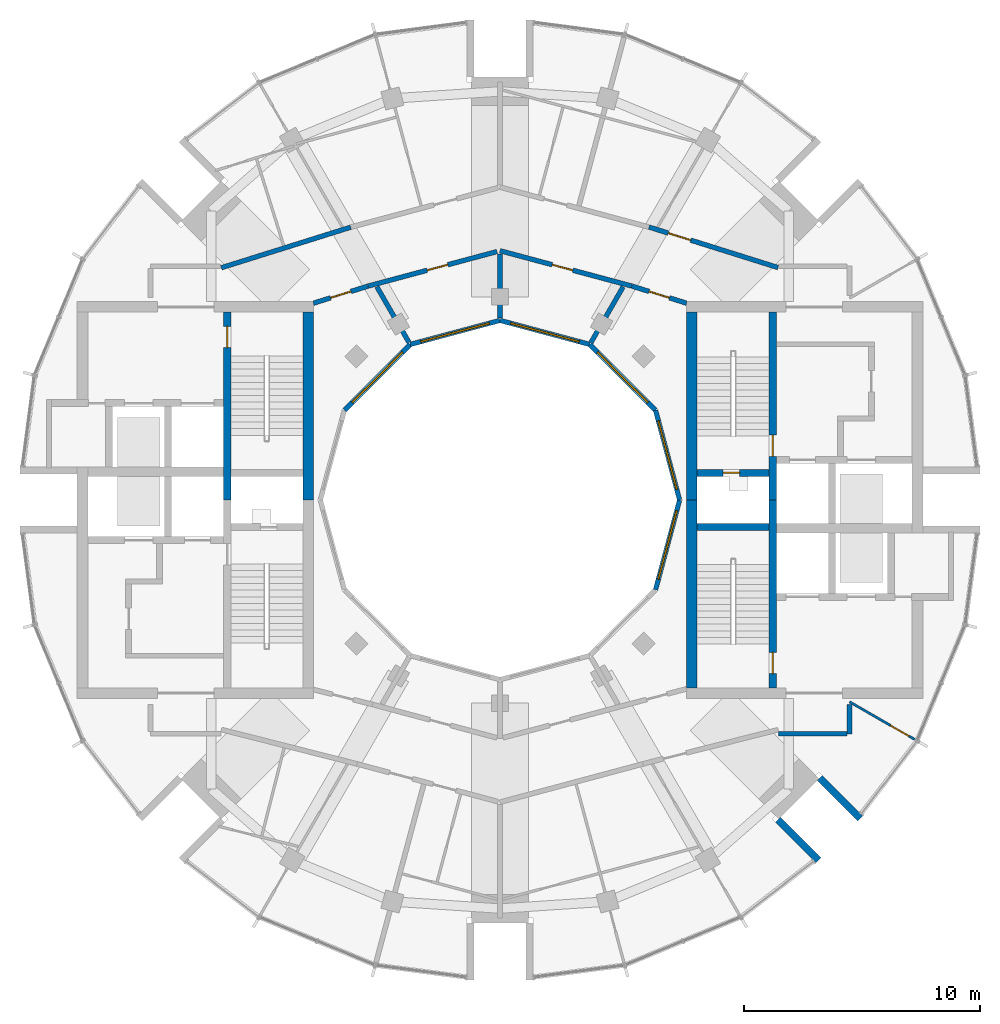
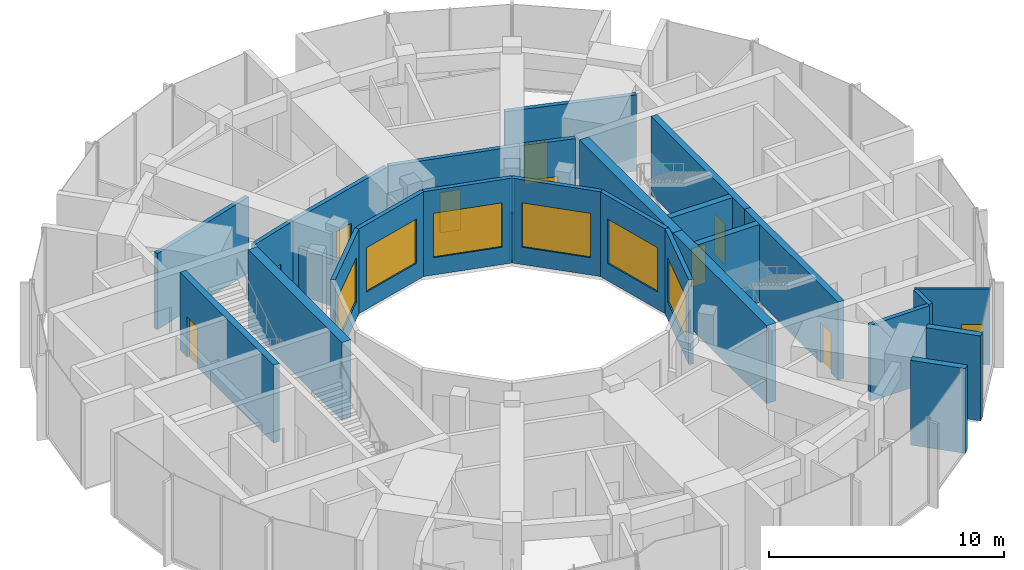
# One storey, part 9 of 13: 28 walls, 10 doors, 6 windows, 16 openings.
"""IFC4 building model written with IfcOpenShell, lengths in metres."""

from ifc_helpers import new_model, si_unit, direction, frame, frame_2d, origin, place, context, subcontext, project, spatial, rectangle, extrude, material, layer, layer_set, type_object, element, fill, save


model = new_model("IFC4")

# Units and contexts
model_context = context("Model", 3, precision=1e-05, world=origin(), true_north=direction((0.0, 1.0)))
body_context = subcontext(model_context, "Body", "Model", "MODEL_VIEW")
ifc_project = project(units=[si_unit("LENGTHUNIT", "METRE"), si_unit("AREAUNIT", "SQUARE_METRE"), si_unit("VOLUMEUNIT", "CUBIC_METRE"), si_unit("PLANEANGLEUNIT", "RADIAN"), si_unit("MASSUNIT", "GRAM", prefix="KILO")], contexts=[model_context])

# Site, building, storey
site_placement = place(None, origin())
site = spatial("IfcSite", under=ifc_project, at=site_placement, CompositionType="ELEMENT")
building_placement = place(site_placement, origin())
building = spatial("IfcBuilding", under=site, at=building_placement, Name="Torre Brocal", CompositionType="ELEMENT")
storey_placement = place(building_placement, frame((0.0, 0.0, 323.699951171875)))
storey = spatial("IfcBuildingStorey", under=building, at=storey_placement, Name="L74", CompositionType="ELEMENT", Elevation=323.699951171875)

# Wall, opening, door
ifc_material_1 = material(Name="Concrete C50", Category="concrete")
ifc_layer_1 = layer(ifc_material_1, 0.300048828125)
ifc_layer_set_1 = layer_set([ifc_layer_1], Name="Concrete C50")
wall_type_1 = type_object("IfcWallType", Name="CORE WALL 300 C50 UNDER 350 SLAB", PredefinedType="SHEAR", material=ifc_layer_set_1)
wall_1_placement = place(storey_placement, frame((91.550048828125, 75.0, 0.0), z_axis=(0.0, 0.0, 1.0), x_axis=(0.0, 1.0, 0.0)))
wall_1 = element("IfcWall", 1, at=wall_1_placement, inside=storey, type_object=wall_type_1, Name="Wall CW300-50-S350", PredefinedType="SHEAR", context=body_context, shape_type="SweptSolid", body=[
    extrude(rectangle(XDim=7.949951171875, YDim=0.300048828125, at=frame_2d((3.97509765625, 0.0))), origin(), (0.0, 0.0, 1.0), 4.050048828125),
])
opening_1_placement = place(wall_1_placement, frame((1.85009765625, 0.0, 0.0)))
opening_1 = element("IfcOpeningElement", 2, at=opening_1_placement, cuts=wall_1, Name="Opening E-D02", PredefinedType="OPENING", context=body_context, shape_type="SweptSolid", body=[
    extrude(rectangle(XDim=0.89990234375, YDim=2.10009765625, at=frame_2d((0.449951171875, 1.050048828125))), frame((0.0, 0.159912109375, 0.0), z_axis=(0.0, -1.0, 0.0), x_axis=(1.0, 0.0, 0.0)), (0.0, 0.0, 1.0), 0.320068359375),
])
ifc_material_2 = material(Name="Steel A653", Category="steel")
door_type_1 = type_object("IfcDoorType", Name="STAIR DOOR FD120 900X2100", OperationType="SINGLE_SWING_RIGHT", PredefinedType="DOOR", material=ifc_material_2)
door_1_placement = place(opening_1_placement, origin())
door_1 = element("IfcDoor", 3, at=door_1_placement, inside=storey, type_object=door_type_1, Name="Door E-D02", OperationType="SINGLE_SWING_LEFT", OverallHeight=2.10009765625, OverallWidth=0.89990234375, PredefinedType="DOOR", context=body_context, shape_type="SweptSolid", body=[
    extrude(rectangle(XDim=0.89990234375, YDim=2.10009765625, at=frame_2d((0.449951171875, 1.050048828125))), frame((0.0, 0.02490234375, 0.0), z_axis=(0.0, -1.0, 0.0), x_axis=(1.0, 0.0, 0.0)), (0.0, 0.0, 1.0), 0.050048828125),
])
fill(opening_1, door_1)

wall_2_placement = place(storey_placement, frame((91.550048828125, 67.050048828125, 0.0), z_axis=(0.0, 0.0, 1.0), x_axis=(0.0, 1.0, 0.0)))
wall_2 = element("IfcWall", 4, at=wall_2_placement, inside=storey, type_object=wall_type_1, Name="Wall CW300-50-S350", PredefinedType="SHEAR", context=body_context, shape_type="SweptSolid", body=[
    extrude(rectangle(XDim=7.949951171875, YDim=0.300048828125, at=frame_2d((3.97509765625, 0.0))), origin(), (0.0, 0.0, 1.0), 4.050048828125),
])
opening_2_placement = place(wall_2_placement, frame((0.60009765625, 0.0, 0.0)))
opening_2 = element("IfcOpeningElement", 5, at=opening_2_placement, cuts=wall_2, Name="Opening E-D03", PredefinedType="OPENING", context=body_context, shape_type="SweptSolid", body=[
    extrude(rectangle(XDim=0.89990234375, YDim=2.10009765625, at=frame_2d((0.449951171875, 1.050048828125))), frame((0.0, 0.159912109375, 0.0), z_axis=(0.0, -1.0, 0.0), x_axis=(1.0, 0.0, 0.0)), (0.0, 0.0, 1.0), 0.320068359375),
])
door_2_placement = place(opening_2_placement, origin())
door_2 = element("IfcDoor", 6, at=door_2_placement, inside=storey, type_object=door_type_1, Name="Door E-D03", OperationType="SINGLE_SWING_LEFT", OverallHeight=2.10009765625, OverallWidth=0.89990234375, PredefinedType="DOOR", context=body_context, shape_type="SweptSolid", body=[
    extrude(rectangle(XDim=0.89990234375, YDim=2.10009765625, at=frame_2d((0.449951171875, 1.050048828125))), frame((0.0, 0.02490234375, 0.0), z_axis=(0.0, -1.0, 0.0), x_axis=(1.0, 0.0, 0.0)), (0.0, 0.0, 1.0), 0.050048828125),
])
fill(opening_2, door_2)

wall_3_placement = place(storey_placement, frame((88.35009765625, 76.14990234375, 0.0), z_axis=(0.0, 0.0, 1.0), x_axis=(1.0, 0.0, 0.0)))
wall_3 = element("IfcWall", 7, at=wall_3_placement, inside=storey, type_object=wall_type_1, Name="Wall CW300-50-S350", PredefinedType="SHEAR", context=body_context, shape_type="SweptSolid", body=[
    extrude(rectangle(XDim=3.0498046875, YDim=0.300048828125, at=frame_2d((1.52490234375, 0.0))), origin(), (0.0, 0.0, 1.0), 4.050048828125),
])
opening_3_placement = place(wall_3_placement, frame((1.10009765625, 0.0, 0.0)))
opening_3 = element("IfcOpeningElement", 8, at=opening_3_placement, cuts=wall_3, Name="Opening E-D01", PredefinedType="OPENING", context=body_context, shape_type="SweptSolid", body=[
    extrude(rectangle(XDim=0.699951171875, YDim=2.0, at=frame_2d((0.35009765625, 1.0))), frame((0.0, 0.159912109375, 0.0), z_axis=(0.0, -1.0, 0.0), x_axis=(1.0, 0.0, 0.0)), (0.0, 0.0, 1.0), 0.320068359375),
])
ifc_material_3 = material(Name="Steel A653", Category="steel")
door_type_2 = type_object("IfcDoorType", Name="RISER DOOR FD120 700X2000", OperationType="SINGLE_SWING_LEFT", PredefinedType="DOOR", material=ifc_material_3)
door_3_placement = place(opening_3_placement, frame((0.699951171875, 0.0, 0.0), z_axis=(0.0, 0.0, 1.0), x_axis=(-1.0, 0.0, 0.0)))
door_3 = element("IfcDoor", 9, at=door_3_placement, inside=storey, type_object=door_type_2, Name="Door E-D01", OperationType="SINGLE_SWING_RIGHT", OverallHeight=2.0, OverallWidth=0.699951171875, PredefinedType="DOOR", context=body_context, shape_type="SweptSolid", body=[
    extrude(rectangle(XDim=0.699951171875, YDim=2.0, at=frame_2d((0.35009765625, 1.0))), frame((0.0, 0.02490234375, 0.0), z_axis=(0.0, -1.0, 0.0), x_axis=(1.0, 0.0, 0.0)), (0.0, 0.0, 1.0), 0.050048828125),
])
fill(opening_3, door_3)

# Wall
wall_4_placement = place(storey_placement, frame((88.35009765625, 73.85009765625, 0.0), z_axis=(0.0, 0.0, 1.0), x_axis=(1.0, 0.0, 0.0)))
element("IfcWall", 10, at=wall_4_placement, inside=storey, type_object=wall_type_1, Name="Wall CW300-50-S350", PredefinedType="SHEAR", context=body_context, shape_type="SweptSolid", body=[
    extrude(rectangle(XDim=3.0498046875, YDim=0.300048828125, at=frame_2d((1.52490234375, 0.0))), origin(), (0.0, 0.0, 1.0), 4.050048828125),
])

# Wall, opening, door
wall_5_placement = place(storey_placement, frame((68.449951171875, 82.949951171875, 0.0), z_axis=(0.0, 0.0, 1.0), x_axis=(0.0, -1.0, 0.0)))
wall_5 = element("IfcWall", 11, at=wall_5_placement, inside=storey, type_object=wall_type_1, Name="Wall CW300-50-S350", PredefinedType="SHEAR", context=body_context, shape_type="SweptSolid", body=[
    extrude(rectangle(XDim=7.949951171875, YDim=0.300048828125, at=frame_2d((3.97509765625, 0.0))), origin(), (0.0, 0.0, 1.0), 4.050048828125),
])
opening_4_placement = place(wall_5_placement, frame((0.60009765625, 0.0, 0.0)))
opening_4 = element("IfcOpeningElement", 12, at=opening_4_placement, cuts=wall_5, Name="Opening W-D03", PredefinedType="OPENING", context=body_context, shape_type="SweptSolid", body=[
    extrude(rectangle(XDim=0.89990234375, YDim=2.10009765625, at=frame_2d((0.449951171875, 1.050048828125))), frame((0.0, 0.159912109375, 0.0), z_axis=(0.0, -1.0, 0.0), x_axis=(1.0, 0.0, 0.0)), (0.0, 0.0, 1.0), 0.320068359375),
])
door_4_placement = place(opening_4_placement, origin())
door_4 = element("IfcDoor", 13, at=door_4_placement, inside=storey, type_object=door_type_1, Name="Door W-D03", OperationType="SINGLE_SWING_LEFT", OverallHeight=2.10009765625, OverallWidth=0.89990234375, PredefinedType="DOOR", context=body_context, shape_type="SweptSolid", body=[
    extrude(rectangle(XDim=0.89990234375, YDim=2.10009765625, at=frame_2d((0.449951171875, 1.050048828125))), frame((0.0, 0.02490234375, 0.0), z_axis=(0.0, -1.0, 0.0), x_axis=(1.0, 0.0, 0.0)), (0.0, 0.0, 1.0), 0.050048828125),
])
fill(opening_4, door_4)

# Walls
ifc_material_4 = material(Name="Concrete C50", Category="concrete")
ifc_layer_2 = layer(ifc_material_4, 0.449951171875)
ifc_layer_set_2 = layer_set([ifc_layer_2], Name="Concrete C50")
wall_type_2 = type_object("IfcWallType", Name="CORE WALL 450 C50 UNDER 350 SLAB", PredefinedType="SHEAR", material=ifc_layer_set_2)
for number, where, z_axis, x_axis, name in (
    (14, (88.125, 75.0, 0.0), (0.0, 0.0, 1.0), (0.0, 1.0, 0.0), "Wall CW450-50-S350"),
    (15, (88.125, 67.050048828125, 0.0), (0.0, 0.0, 1.0), (0.0, 1.0, 0.0), "Wall CW450-50-S350"),
    (16, (71.875, 82.949951171875, 0.0), (0.0, 0.0, 1.0), (0.0, -1.0, 0.0), "Wall CW450-50-S350"),
):
    element("IfcWall", number, at=place(storey_placement, frame(where, z_axis=z_axis, x_axis=x_axis)), inside=storey, type_object=wall_type_2, Name=name, PredefinedType="SHEAR", context=body_context, shape_type="SweptSolid", body=[
        extrude(rectangle(XDim=7.949951171875, YDim=0.449951171875, at=frame_2d((3.97509765625, 0.0))), origin(), (0.0, 0.0, 1.0), 4.050048828125),
    ])
ifc_material_5 = material(Name="Concrete C50", Category="concrete")
ifc_layer_3 = layer(ifc_material_5, 0.300048828125)
ifc_layer_set_3 = layer_set([ifc_layer_3], Name="Concrete C50")
wall_type_3 = type_object("IfcWallType", Name="NOTCH RETURN WALL 300 C50", PredefinedType="NOTDEFINED", material=ifc_layer_set_3)
for number, where, z_axis, x_axis, name in (
    (17, (91.7734375, 61.458984375, 0.0), (0.0, 0.0, 1.0), (0.707056246487, -0.707157312274, 0.0), "NOTCH RETURN WALL"),
    (18, (93.541015625, 63.2265625, 0.0), (0.0, 0.0, 1.0), (0.707157312274, -0.707056246487, 0.0), "NOTCH RETURN WALL"),
):
    element("IfcWall", number, at=place(storey_placement, frame(where, z_axis=z_axis, x_axis=x_axis)), inside=storey, type_object=wall_type_3, Name=name, PredefinedType="NOTDEFINED", context=body_context, shape_type="SweptSolid", body=[
        extrude(rectangle(XDim=2.415771484375, YDim=0.300048828125, at=frame_2d((1.2080078125, 0.0))), origin(), (0.0, 0.0, 1.0), 4.400146484375),
    ])

# Wall, opening, door
ifc_material_6 = material(Name="Gypsum board", Category="Gypsum")
ifc_layer_4 = layer(ifc_material_6, 0.10009765625)
ifc_layer_set_4 = layer_set([ifc_layer_4], Name="Gypsum board")
wall_type_4 = type_object("IfcWallType", Name="PARTITION 100", PredefinedType="PARTITIONING", material=ifc_layer_set_4)
wall_6_placement = place(storey_placement, frame((94.800048828125, 66.454833984375, 0.0), z_axis=(0.0, 0.0, 1.0), x_axis=(0.866056279496, -0.499946517884, 0.0)))
wall_6 = element("IfcWall", 19, at=wall_6_placement, inside=storey, type_object=wall_type_4, Name="ROOM PARTITION", PredefinedType="PARTITIONING", context=body_context, shape_type="SweptSolid", body=[
    extrude(rectangle(XDim=3.206787109375, YDim=0.10009765625, at=frame_2d((1.603515625, 0.0))), origin(), (0.0, 0.0, 1.0), 3.949951171875),
])
opening_5_placement = place(wall_6_placement, frame((2.006591796875, 0.0, 0.0)))
opening_5 = element("IfcOpeningElement", 20, at=opening_5_placement, cuts=wall_6, Name="Opening N05-D23", PredefinedType="OPENING", context=body_context, shape_type="SweptSolid", body=[
    extrude(rectangle(XDim=0.89990234375, YDim=2.10009765625, at=frame_2d((0.449951171875, 1.050048828125))), frame((0.0, 0.06005859375, 0.0), z_axis=(0.0, -1.0, 0.0), x_axis=(1.0, 0.0, 0.0)), (0.0, 0.0, 1.0), 0.1201171875),
])
ifc_material_7 = material(Name="Timber", Category="wood")
door_type_3 = type_object("IfcDoorType", Name="ROOM DOOR 900X2100", OperationType="SINGLE_SWING_LEFT", PredefinedType="DOOR", material=ifc_material_7)
door_5_placement = place(opening_5_placement, origin())
door_5 = element("IfcDoor", 21, at=door_5_placement, inside=storey, type_object=door_type_3, Name="N05-D23", OperationType="SINGLE_SWING_RIGHT", OverallHeight=2.10009765625, OverallWidth=0.89990234375, PredefinedType="DOOR", context=body_context, shape_type="SweptSolid", body=[
    extrude(rectangle(XDim=0.89990234375, YDim=2.10009765625, at=frame_2d((0.449951171875, 1.050048828125))), frame((0.0, 0.02490234375, 0.0), z_axis=(0.0, -1.0, 0.0), x_axis=(1.0, 0.0, 0.0)), (0.0, 0.0, 1.0), 0.050048828125),
])
fill(opening_5, door_5)

# Wall
ifc_material_8 = material(Name="Gypsum board", Category="Gypsum")
ifc_layer_5 = layer(ifc_material_8, 0.199951171875)
ifc_layer_set_5 = layer_set([ifc_layer_5], Name="Gypsum board")
wall_type_5 = type_object("IfcWallType", Name="PARTITION 200 EI60", PredefinedType="PARTITIONING", material=ifc_layer_set_5)
wall_7_placement = place(storey_placement, frame((68.20068359375, 84.833740234375, 0.0), z_axis=(0.0, 0.0, 1.0), x_axis=(0.954232917497, 0.29906443982, 0.0)))
element("IfcWall", 22, at=wall_7_placement, inside=storey, type_object=wall_type_5, Name="GUESTROOM CORRIDOR WALL", PredefinedType="PARTITIONING", context=body_context, shape_type="SweptSolid", body=[
    extrude(rectangle(XDim=5.73974609375, YDim=0.199951171875, at=frame_2d((2.869873046875, 0.0))), origin(), (0.0, 0.0, 1.0), 3.949951171875),
])

# Wall, opening, door
wall_8_placement = place(storey_placement, frame((72.10009765625, 83.33203125, 0.0), z_axis=(0.0, 0.0, 1.0), x_axis=(0.954233106619, 0.299063836383, 0.0)))
wall_8 = element("IfcWall", 23, at=wall_8_placement, inside=storey, type_object=wall_type_5, Name="CORRIDOR WALL", PredefinedType="PARTITIONING", context=body_context, shape_type="SweptSolid", body=[
    extrude(rectangle(XDim=2.4140625, YDim=0.199951171875, at=frame_2d((1.20703125, 0.0))), origin(), (0.0, 0.0, 1.0), 3.949951171875),
])
opening_6_placement = place(wall_8_placement, frame((0.761962890625, 0.0, 0.0)))
opening_6 = element("IfcOpeningElement", 24, at=opening_6_placement, cuts=wall_8, Name="Opening N05-D17", PredefinedType="OPENING", context=body_context, shape_type="SweptSolid", body=[
    extrude(rectangle(XDim=0.89990234375, YDim=2.10009765625, at=frame_2d((0.449951171875, 1.050048828125))), frame((0.0, 0.10986328125, 0.0), z_axis=(0.0, -1.0, 0.0), x_axis=(1.0, 0.0, 0.0)), (0.0, 0.0, 1.0), 0.219970703125),
])
door_6_placement = place(opening_6_placement, frame((0.89990234375, 0.0, 0.0), z_axis=(0.0, 0.0, 1.0), x_axis=(-1.0, 0.0, 0.0)))
door_6 = element("IfcDoor", 25, at=door_6_placement, inside=storey, type_object=door_type_3, Name="N05-D17", OperationType="SINGLE_SWING_RIGHT", OverallHeight=2.10009765625, OverallWidth=0.89990234375, PredefinedType="DOOR", context=body_context, shape_type="SweptSolid", body=[
    extrude(rectangle(XDim=0.89990234375, YDim=2.10009765625, at=frame_2d((0.449951171875, 1.050048828125))), frame((0.0, 0.02490234375, 0.0), z_axis=(0.0, -1.0, 0.0), x_axis=(1.0, 0.0, 0.0)), (0.0, 0.0, 1.0), 0.050048828125),
])
fill(opening_6, door_6)

wall_9_placement = place(storey_placement, frame((74.4130859375, 84.056884765625, 0.0), z_axis=(0.0, 0.0, 1.0), x_axis=(0.965972135939, 0.258646153246, 0.0)))
wall_9 = element("IfcWall", 26, at=wall_9_placement, inside=storey, type_object=wall_type_5, Name="CORRIDOR WALL", PredefinedType="PARTITIONING", context=body_context, shape_type="SweptSolid", body=[
    extrude(rectangle(XDim=5.654052734375, YDim=0.199951171875, at=frame_2d((2.8271484375, 0.0))), origin(), (0.0, 0.0, 1.0), 3.949951171875),
])
opening_7_placement = place(wall_9_placement, frame((2.5927734375, 0.0, 0.0)))
opening_7 = element("IfcOpeningElement", 27, at=opening_7_placement, cuts=wall_9, Name="Opening N05-D16", PredefinedType="OPENING", context=body_context, shape_type="SweptSolid", body=[
    extrude(rectangle(XDim=0.89990234375, YDim=2.10009765625, at=frame_2d((0.449951171875, 1.050048828125))), frame((0.0, 0.10986328125, 0.0), z_axis=(0.0, -1.0, 0.0), x_axis=(1.0, 0.0, 0.0)), (0.0, 0.0, 1.0), 0.219970703125),
])
door_7_placement = place(opening_7_placement, frame((0.89990234375, 0.0, 0.0), z_axis=(0.0, 0.0, 1.0), x_axis=(-1.0, 0.0, 0.0)))
door_7 = element("IfcDoor", 28, at=door_7_placement, inside=storey, type_object=door_type_3, Name="N05-D16", OperationType="SINGLE_SWING_RIGHT", OverallHeight=2.10009765625, OverallWidth=0.89990234375, PredefinedType="DOOR", context=body_context, shape_type="SweptSolid", body=[
    extrude(rectangle(XDim=0.89990234375, YDim=2.10009765625, at=frame_2d((0.449951171875, 1.050048828125))), frame((0.0, 0.02490234375, 0.0), z_axis=(0.0, -1.0, 0.0), x_axis=(1.0, 0.0, 0.0)), (0.0, 0.0, 1.0), 0.050048828125),
])
fill(opening_7, door_7)

wall_10_placement = place(storey_placement, frame((80.0, 85.553955078125, 0.0), z_axis=(0.0, 0.0, 1.0), x_axis=(0.965928989968, -0.258807237802, 0.0)))
wall_10 = element("IfcWall", 29, at=wall_10_placement, inside=storey, type_object=wall_type_5, Name="CORRIDOR WALL", PredefinedType="PARTITIONING", context=body_context, shape_type="SweptSolid", body=[
    extrude(rectangle(XDim=5.774169921875, YDim=0.199951171875, at=frame_2d((2.88720703125, 0.0))), origin(), (0.0, 0.0, 1.0), 3.949951171875),
])
opening_8_placement = place(wall_10_placement, frame((2.29150390625, 0.0, 0.0)))
opening_8 = element("IfcOpeningElement", 30, at=opening_8_placement, cuts=wall_10, Name="Opening N05-D15", PredefinedType="OPENING", context=body_context, shape_type="SweptSolid", body=[
    extrude(rectangle(XDim=0.89990234375, YDim=2.10009765625, at=frame_2d((0.449951171875, 1.050048828125))), frame((0.0, 0.10986328125, 0.0), z_axis=(0.0, -1.0, 0.0), x_axis=(1.0, 0.0, 0.0)), (0.0, 0.0, 1.0), 0.219970703125),
])
door_8_placement = place(opening_8_placement, frame((0.89990234375, 0.0, 0.0), z_axis=(0.0, 0.0, 1.0), x_axis=(-1.0, 0.0, 0.0)))
door_8 = element("IfcDoor", 31, at=door_8_placement, inside=storey, type_object=door_type_3, Name="N05-D15", OperationType="SINGLE_SWING_LEFT", OverallHeight=2.10009765625, OverallWidth=0.89990234375, PredefinedType="DOOR", context=body_context, shape_type="SweptSolid", body=[
    extrude(rectangle(XDim=0.89990234375, YDim=2.10009765625, at=frame_2d((0.449951171875, 1.050048828125))), frame((0.0, 0.02490234375, 0.0), z_axis=(0.0, -1.0, 0.0), x_axis=(1.0, 0.0, 0.0)), (0.0, 0.0, 1.0), 0.050048828125),
])
fill(opening_8, door_8)

wall_11_placement = place(storey_placement, frame((85.5869140625, 84.056884765625, 0.0), z_axis=(0.0, 0.0, 1.0), x_axis=(0.954239513179, -0.299043393987, 0.0)))
wall_11 = element("IfcWall", 32, at=wall_11_placement, inside=storey, type_object=wall_type_5, Name="CORRIDOR WALL", PredefinedType="PARTITIONING", context=body_context, shape_type="SweptSolid", body=[
    extrude(rectangle(XDim=2.423828125, YDim=0.199951171875, at=frame_2d((1.2119140625, 0.0))), origin(), (0.0, 0.0, 1.0), 3.949951171875),
])
opening_9_placement = place(wall_11_placement, frame((0.761962890625, 0.0, 0.0)))
opening_9 = element("IfcOpeningElement", 33, at=opening_9_placement, cuts=wall_11, Name="Opening N05-D14", PredefinedType="OPENING", context=body_context, shape_type="SweptSolid", body=[
    extrude(rectangle(XDim=0.89990234375, YDim=2.10009765625, at=frame_2d((0.449951171875, 1.050048828125))), frame((0.0, 0.10986328125, 0.0), z_axis=(0.0, -1.0, 0.0), x_axis=(1.0, 0.0, 0.0)), (0.0, 0.0, 1.0), 0.219970703125),
])
door_9_placement = place(opening_9_placement, frame((0.89990234375, 0.0, 0.0), z_axis=(0.0, 0.0, 1.0), x_axis=(-1.0, 0.0, 0.0)))
door_9 = element("IfcDoor", 34, at=door_9_placement, inside=storey, type_object=door_type_3, Name="N05-D14", OperationType="SINGLE_SWING_LEFT", OverallHeight=2.10009765625, OverallWidth=0.89990234375, PredefinedType="DOOR", context=body_context, shape_type="SweptSolid", body=[
    extrude(rectangle(XDim=0.89990234375, YDim=2.10009765625, at=frame_2d((0.449951171875, 1.050048828125))), frame((0.0, 0.02490234375, 0.0), z_axis=(0.0, -1.0, 0.0), x_axis=(1.0, 0.0, 0.0)), (0.0, 0.0, 1.0), 0.050048828125),
])
fill(opening_9, door_9)

wall_12_placement = place(storey_placement, frame((86.3134765625, 86.555419921875, 0.0), z_axis=(0.0, 0.0, 1.0), x_axis=(0.9540216201, -0.299737799389, 0.0)))
wall_12 = element("IfcWall", 35, at=wall_12_placement, inside=storey, type_object=wall_type_5, Name="FLAT ENTRANCE WALL", PredefinedType="PARTITIONING", context=body_context, shape_type="SweptSolid", body=[
    extrude(rectangle(XDim=5.719482421875, YDim=0.199951171875, at=frame_2d((2.85986328125, 0.0))), origin(), (0.0, 0.0, 1.0), 3.949951171875),
])
opening_10_placement = place(wall_12_placement, frame((0.84765625, 0.0, 0.0)))
opening_10 = element("IfcOpeningElement", 36, at=opening_10_placement, cuts=wall_12, Name="Opening N05-D01", PredefinedType="OPENING", context=body_context, shape_type="SweptSolid", body=[
    extrude(rectangle(XDim=1.0, YDim=2.10009765625, at=frame_2d((0.5, 1.050048828125))), frame((0.0, 0.10986328125, 0.0), z_axis=(0.0, -1.0, 0.0), x_axis=(1.0, 0.0, 0.0)), (0.0, 0.0, 1.0), 0.219970703125),
])
ifc_material_9 = material(Name="Timber", Category="wood")
door_type_4 = type_object("IfcDoorType", Name="FLAT ENTRY DOOR FD30S 1000X2100", OperationType="SINGLE_SWING_RIGHT", PredefinedType="DOOR", material=ifc_material_9)
door_10_placement = place(opening_10_placement, origin())
door_10 = element("IfcDoor", 37, at=door_10_placement, inside=storey, type_object=door_type_4, Name="N05-D01", OperationType="SINGLE_SWING_LEFT", OverallHeight=2.10009765625, OverallWidth=1.0, PredefinedType="DOOR", context=body_context, shape_type="SweptSolid", body=[
    extrude(rectangle(XDim=1.0, YDim=2.10009765625, at=frame_2d((0.5, 1.050048828125))), frame((0.0, 0.02490234375, 0.0), z_axis=(0.0, -1.0, 0.0), x_axis=(1.0, 0.0, 0.0)), (0.0, 0.0, 1.0), 0.050048828125),
])
fill(opening_10, door_10)

# Walls
wall_13_placement = place(storey_placement, frame((91.800048828125, 65.10009765625, 0.0), z_axis=(0.0, 0.0, 1.0), x_axis=(1.0, 0.0, 0.0)))
element("IfcWall", 38, at=wall_13_placement, inside=storey, type_object=wall_type_5, Name="FLAT ENTRANCE WALL", PredefinedType="PARTITIONING", context=body_context, shape_type="SweptSolid", body=[
    extrude(rectangle(XDim=2.89990234375, YDim=0.199951171875, at=frame_2d((1.449951171875, 0.0))), origin(), (0.0, 0.0, 1.0), 3.949951171875),
])
wall_14_placement = place(storey_placement, frame((94.800048828125, 65.10009765625, 0.0), z_axis=(0.0, 0.0, 1.0), x_axis=(0.0, 1.0, 0.0)))
element("IfcWall", 39, at=wall_14_placement, inside=storey, type_object=wall_type_5, Name="FLAT ENTRANCE WALL", PredefinedType="PARTITIONING", context=body_context, shape_type="SweptSolid", body=[
    extrude(rectangle(XDim=1.25, YDim=0.199951171875, at=frame_2d((0.625, 0.0))), origin(), (0.0, 0.0, 1.0), 3.949951171875),
])
ifc_material_10 = material(Name="Gypsum board", Category="Gypsum")
ifc_layer_6 = layer(ifc_material_10, 0.199951171875)
ifc_layer_set_6 = layer_set([ifc_layer_6], Name="Gypsum board")
wall_type_6 = type_object("IfcWallType", Name="PARTITION 200 EI60 UNDER BEAM 1950", PredefinedType="PARTITIONING", material=ifc_layer_set_6)
wall_15_placement = place(storey_placement, frame((74.787353515625, 84.027099609375, 0.0), z_axis=(0.0, 0.0, 1.0), x_axis=(0.500079107518, -0.86597972622, 0.0)))
element("IfcWall", 40, at=wall_15_placement, inside=storey, type_object=wall_type_6, Name="PARTY PARTITION", PredefinedType="PARTITIONING", context=body_context, shape_type="SweptSolid", body=[
    extrude(rectangle(XDim=2.7255859375, YDim=0.199951171875, at=frame_2d((1.36279296875, 0.0))), origin(), (0.0, 0.0, 1.0), 2.449951171875),
])
wall_16_placement = place(storey_placement, frame((80.0, 82.698974609375, 0.0), z_axis=(0.0, 0.0, 1.0), x_axis=(0.0, 1.0, 0.0)))
element("IfcWall", 41, at=wall_16_placement, inside=storey, type_object=wall_type_6, Name="PARTY PARTITION", PredefinedType="PARTITIONING", context=body_context, shape_type="SweptSolid", body=[
    extrude(rectangle(XDim=2.72509765625, YDim=0.199951171875, at=frame_2d((1.362548828125, 0.0))), origin(), (0.0, 0.0, 1.0), 2.449951171875),
])
wall_17_placement = place(storey_placement, frame((83.85009765625, 81.66650390625, 0.0), z_axis=(0.0, 0.0, 1.0), x_axis=(0.500185068774, 0.865918527909, 0.0)))
element("IfcWall", 42, at=wall_17_placement, inside=storey, type_object=wall_type_6, Name="PARTY PARTITION", PredefinedType="PARTITIONING", context=body_context, shape_type="SweptSolid", body=[
    extrude(rectangle(XDim=2.7255859375, YDim=0.199951171875, at=frame_2d((1.36279296875, 0.0))), origin(), (0.0, 0.0, 1.0), 2.449951171875),
])

# Wall, opening, window
ifc_material_11 = material(Name="Concrete C40", Category="concrete")
ifc_layer_7 = layer(ifc_material_11, 0.199951171875)
ifc_layer_set_7 = layer_set([ifc_layer_7], Name="Concrete C40")
wall_type_7 = type_object("IfcWallType", Name="WELL FACADE WALL 200", PredefinedType="NOTDEFINED", material=ifc_layer_set_7)
wall_18_placement = place(storey_placement, frame((87.603515625, 75.0, 0.0), z_axis=(0.0, 0.0, 1.0), x_axis=(-0.258789828301, 0.965933654434, 0.0)))
wall_18 = element("IfcWall", 43, at=wall_18_placement, inside=storey, type_object=wall_type_7, Name="WELL FACADE WALL", PredefinedType="NOTDEFINED", context=body_context, shape_type="SweptSolid", body=[
    extrude(rectangle(XDim=3.935791015625, YDim=0.199951171875, at=frame_2d((1.9677734375, 0.0))), origin(), (0.0, 0.0, 1.0), 4.400146484375),
])
opening_11_placement = place(wall_18_placement, frame((0.468017578125, 0.0, 0.89990234375)))
opening_11 = element("IfcOpeningElement", 44, at=opening_11_placement, cuts=wall_18, Name="Opening W1", PredefinedType="OPENING", context=body_context, shape_type="SweptSolid", body=[
    extrude(rectangle(XDim=3.0, YDim=2.300048828125, at=frame_2d((1.5, 1.14990234375))), frame((0.0, 0.10986328125, 0.0), z_axis=(0.0, -1.0, 0.0), x_axis=(1.0, 0.0, 0.0)), (0.0, 0.0, 1.0), 0.219970703125),
])
ifc_material_12 = material(Name="Aluminium and glass", Category="aluminium")
window_type = type_object("IfcWindowType", Name="WELL WINDOW 3000X2300", PartitioningType="SINGLE_PANEL", PredefinedType="WINDOW", material=ifc_material_12)
window_1_placement = place(opening_11_placement, origin())
window_1 = element("IfcWindow", 45, at=window_1_placement, inside=storey, type_object=window_type, Name="WELL WINDOW 3000X2300", OverallHeight=2.300048828125, OverallWidth=3.0, PartitioningType="SINGLE_PANEL", PredefinedType="WINDOW", context=body_context, shape_type="SweptSolid", body=[
    extrude(rectangle(XDim=3.0, YDim=2.300048828125, at=frame_2d((1.5, 1.14990234375))), frame((0.0, 0.030029296875, 0.0), z_axis=(0.0, -1.0, 0.0), x_axis=(1.0, 0.0, 0.0)), (0.0, 0.0, 1.0), 0.06005859375),
])
fill(opening_11, window_1)

wall_19_placement = place(storey_placement, frame((86.5849609375, 78.8017578125, 0.0), z_axis=(0.0, 0.0, 1.0), x_axis=(-0.707106781187, 0.707106781187, 0.0)))
wall_19 = element("IfcWall", 46, at=wall_19_placement, inside=storey, type_object=wall_type_7, Name="WELL FACADE WALL", PredefinedType="NOTDEFINED", context=body_context, shape_type="SweptSolid", body=[
    extrude(rectangle(XDim=3.93603515625, YDim=0.199951171875, at=frame_2d((1.968017578125, 0.0))), origin(), (0.0, 0.0, 1.0), 4.400146484375),
])
opening_12_placement = place(wall_19_placement, frame((0.468017578125, 0.0, 0.89990234375)))
opening_12 = element("IfcOpeningElement", 47, at=opening_12_placement, cuts=wall_19, Name="Opening W1", PredefinedType="OPENING", context=body_context, shape_type="SweptSolid", body=[
    extrude(rectangle(XDim=3.0, YDim=2.300048828125, at=frame_2d((1.5, 1.14990234375))), frame((0.0, 0.10986328125, 0.0), z_axis=(0.0, -1.0, 0.0), x_axis=(1.0, 0.0, 0.0)), (0.0, 0.0, 1.0), 0.219970703125),
])
window_2_placement = place(opening_12_placement, origin())
window_2 = element("IfcWindow", 48, at=window_2_placement, inside=storey, type_object=window_type, Name="WELL WINDOW 3000X2300", OverallHeight=2.300048828125, OverallWidth=3.0, PartitioningType="SINGLE_PANEL", PredefinedType="WINDOW", context=body_context, shape_type="SweptSolid", body=[
    extrude(rectangle(XDim=3.0, YDim=2.300048828125, at=frame_2d((1.5, 1.14990234375))), frame((0.0, 0.030029296875, 0.0), z_axis=(0.0, -1.0, 0.0), x_axis=(1.0, 0.0, 0.0)), (0.0, 0.0, 1.0), 0.06005859375),
])
fill(opening_12, window_2)

wall_20_placement = place(storey_placement, frame((83.8017578125, 81.5849609375, 0.0), z_axis=(0.0, 0.0, 1.0), x_axis=(-0.965933654434, 0.258789828301, 0.0)))
wall_20 = element("IfcWall", 49, at=wall_20_placement, inside=storey, type_object=wall_type_7, Name="WELL FACADE WALL", PredefinedType="NOTDEFINED", context=body_context, shape_type="SweptSolid", body=[
    extrude(rectangle(XDim=3.935791015625, YDim=0.199951171875, at=frame_2d((1.9677734375, 0.0))), origin(), (0.0, 0.0, 1.0), 4.400146484375),
])
opening_13_placement = place(wall_20_placement, frame((0.468017578125, 0.0, 0.89990234375)))
opening_13 = element("IfcOpeningElement", 50, at=opening_13_placement, cuts=wall_20, Name="Opening W1", PredefinedType="OPENING", context=body_context, shape_type="SweptSolid", body=[
    extrude(rectangle(XDim=3.0, YDim=2.300048828125, at=frame_2d((1.5, 1.14990234375))), frame((0.0, 0.10986328125, 0.0), z_axis=(0.0, -1.0, 0.0), x_axis=(1.0, 0.0, 0.0)), (0.0, 0.0, 1.0), 0.219970703125),
])
window_3_placement = place(opening_13_placement, origin())
window_3 = element("IfcWindow", 51, at=window_3_placement, inside=storey, type_object=window_type, Name="WELL WINDOW 3000X2300", OverallHeight=2.300048828125, OverallWidth=3.0, PartitioningType="SINGLE_PANEL", PredefinedType="WINDOW", context=body_context, shape_type="SweptSolid", body=[
    extrude(rectangle(XDim=3.0, YDim=2.300048828125, at=frame_2d((1.5, 1.14990234375))), frame((0.0, 0.030029296875, 0.0), z_axis=(0.0, -1.0, 0.0), x_axis=(1.0, 0.0, 0.0)), (0.0, 0.0, 1.0), 0.06005859375),
])
fill(opening_13, window_3)

wall_21_placement = place(storey_placement, frame((80.0, 82.603515625, 0.0), z_axis=(0.0, 0.0, 1.0), x_axis=(-0.965933654434, -0.258789828301, 0.0)))
wall_21 = element("IfcWall", 52, at=wall_21_placement, inside=storey, type_object=wall_type_7, Name="WELL FACADE WALL", PredefinedType="NOTDEFINED", context=body_context, shape_type="SweptSolid", body=[
    extrude(rectangle(XDim=3.935791015625, YDim=0.199951171875, at=frame_2d((1.9677734375, 0.0))), origin(), (0.0, 0.0, 1.0), 4.400146484375),
])
opening_14_placement = place(wall_21_placement, frame((0.468017578125, 0.0, 0.89990234375)))
opening_14 = element("IfcOpeningElement", 53, at=opening_14_placement, cuts=wall_21, Name="Opening W1", PredefinedType="OPENING", context=body_context, shape_type="SweptSolid", body=[
    extrude(rectangle(XDim=3.0, YDim=2.300048828125, at=frame_2d((1.5, 1.14990234375))), frame((0.0, 0.10986328125, 0.0), z_axis=(0.0, -1.0, 0.0), x_axis=(1.0, 0.0, 0.0)), (0.0, 0.0, 1.0), 0.219970703125),
])
window_4_placement = place(opening_14_placement, origin())
window_4 = element("IfcWindow", 54, at=window_4_placement, inside=storey, type_object=window_type, Name="WELL WINDOW 3000X2300", OverallHeight=2.300048828125, OverallWidth=3.0, PartitioningType="SINGLE_PANEL", PredefinedType="WINDOW", context=body_context, shape_type="SweptSolid", body=[
    extrude(rectangle(XDim=3.0, YDim=2.300048828125, at=frame_2d((1.5, 1.14990234375))), frame((0.0, 0.030029296875, 0.0), z_axis=(0.0, -1.0, 0.0), x_axis=(1.0, 0.0, 0.0)), (0.0, 0.0, 1.0), 0.06005859375),
])
fill(opening_14, window_4)

wall_22_placement = place(storey_placement, frame((76.1982421875, 81.5849609375, 0.0), z_axis=(0.0, 0.0, 1.0), x_axis=(-0.707106781187, -0.707106781187, 0.0)))
wall_22 = element("IfcWall", 55, at=wall_22_placement, inside=storey, type_object=wall_type_7, Name="WELL FACADE WALL", PredefinedType="NOTDEFINED", context=body_context, shape_type="SweptSolid", body=[
    extrude(rectangle(XDim=3.93603515625, YDim=0.199951171875, at=frame_2d((1.968017578125, 0.0))), origin(), (0.0, 0.0, 1.0), 4.400146484375),
])
opening_15_placement = place(wall_22_placement, frame((0.468017578125, 0.0, 0.89990234375)))
opening_15 = element("IfcOpeningElement", 56, at=opening_15_placement, cuts=wall_22, Name="Opening W1", PredefinedType="OPENING", context=body_context, shape_type="SweptSolid", body=[
    extrude(rectangle(XDim=3.0, YDim=2.300048828125, at=frame_2d((1.5, 1.14990234375))), frame((0.0, 0.10986328125, 0.0), z_axis=(0.0, -1.0, 0.0), x_axis=(1.0, 0.0, 0.0)), (0.0, 0.0, 1.0), 0.219970703125),
])
window_5_placement = place(opening_15_placement, origin())
window_5 = element("IfcWindow", 57, at=window_5_placement, inside=storey, type_object=window_type, Name="WELL WINDOW 3000X2300", OverallHeight=2.300048828125, OverallWidth=3.0, PartitioningType="SINGLE_PANEL", PredefinedType="WINDOW", context=body_context, shape_type="SweptSolid", body=[
    extrude(rectangle(XDim=3.0, YDim=2.300048828125, at=frame_2d((1.5, 1.14990234375))), frame((0.0, 0.030029296875, 0.0), z_axis=(0.0, -1.0, 0.0), x_axis=(1.0, 0.0, 0.0)), (0.0, 0.0, 1.0), 0.06005859375),
])
fill(opening_15, window_5)

wall_23_placement = place(storey_placement, frame((86.5849609375, 71.1982421875, 0.0), z_axis=(0.0, 0.0, 1.0), x_axis=(0.258789828301, 0.965933654434, 0.0)))
wall_23 = element("IfcWall", 58, at=wall_23_placement, inside=storey, type_object=wall_type_7, Name="WELL FACADE WALL", PredefinedType="NOTDEFINED", context=body_context, shape_type="SweptSolid", body=[
    extrude(rectangle(XDim=3.935791015625, YDim=0.199951171875, at=frame_2d((1.9677734375, 0.0))), origin(), (0.0, 0.0, 1.0), 4.400146484375),
])
opening_16_placement = place(wall_23_placement, frame((0.468017578125, 0.0, 0.89990234375)))
opening_16 = element("IfcOpeningElement", 59, at=opening_16_placement, cuts=wall_23, Name="Opening W1", PredefinedType="OPENING", context=body_context, shape_type="SweptSolid", body=[
    extrude(rectangle(XDim=3.0, YDim=2.300048828125, at=frame_2d((1.5, 1.14990234375))), frame((0.0, 0.10986328125, 0.0), z_axis=(0.0, -1.0, 0.0), x_axis=(1.0, 0.0, 0.0)), (0.0, 0.0, 1.0), 0.219970703125),
])
window_6_placement = place(opening_16_placement, origin())
window_6 = element("IfcWindow", 60, at=window_6_placement, inside=storey, type_object=window_type, Name="WELL WINDOW 3000X2300", OverallHeight=2.300048828125, OverallWidth=3.0, PartitioningType="SINGLE_PANEL", PredefinedType="WINDOW", context=body_context, shape_type="SweptSolid", body=[
    extrude(rectangle(XDim=3.0, YDim=2.300048828125, at=frame_2d((1.5, 1.14990234375))), frame((0.0, 0.030029296875, 0.0), z_axis=(0.0, -1.0, 0.0), x_axis=(1.0, 0.0, 0.0)), (0.0, 0.0, 1.0), 0.06005859375),
])
fill(opening_16, window_6)

save(model, "model.ifc")
